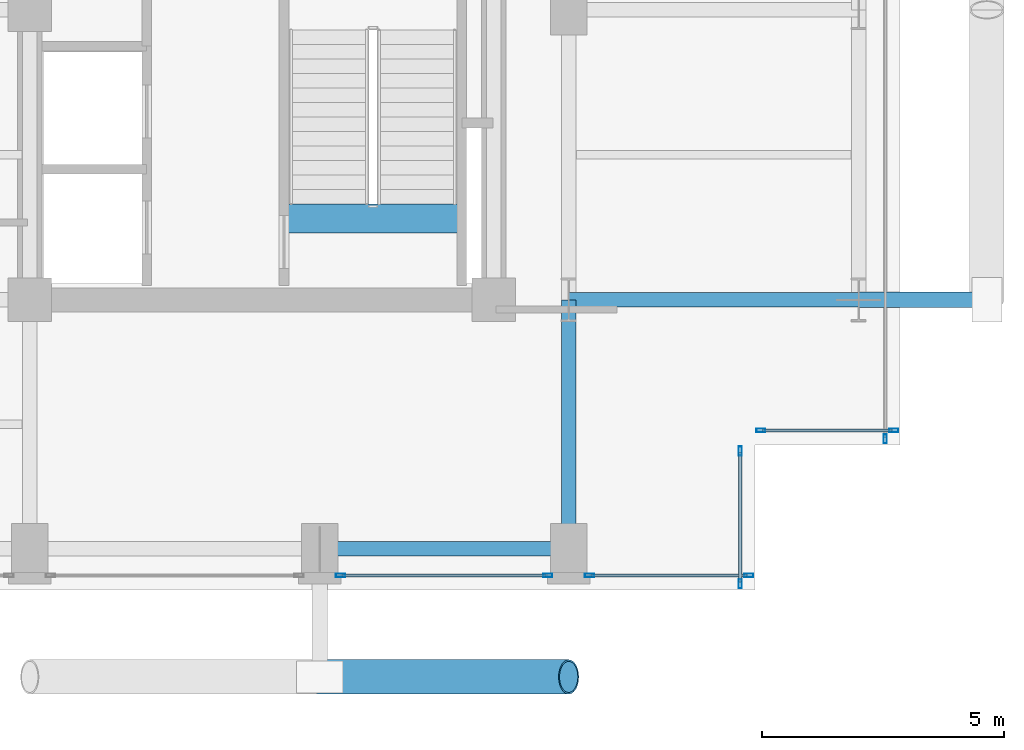
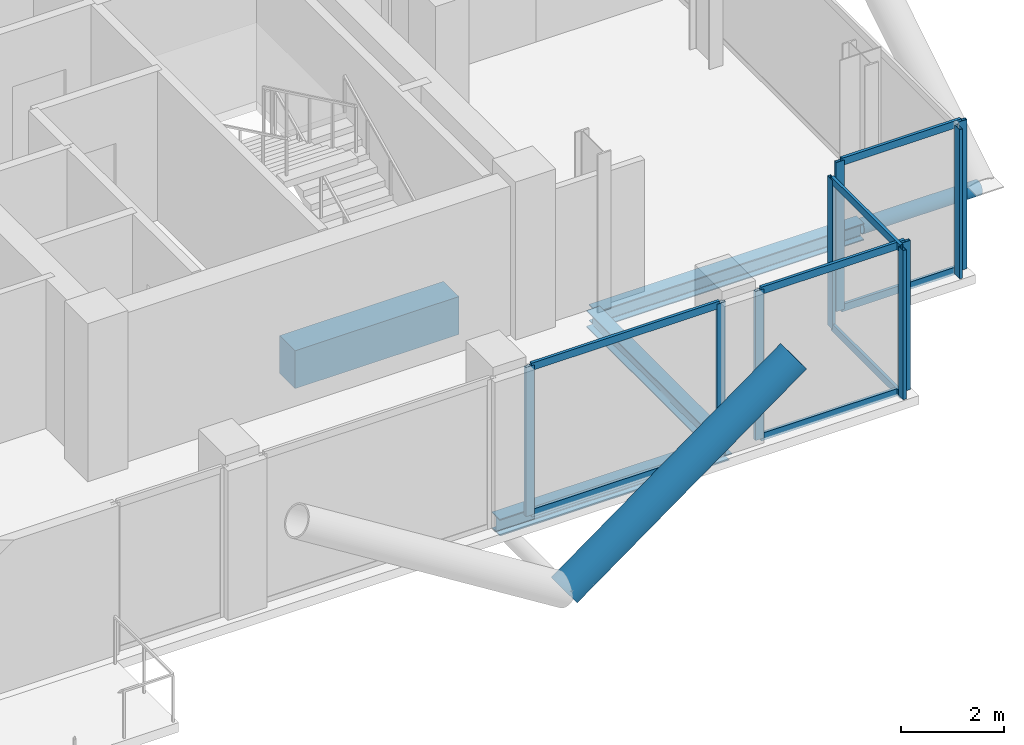
# One storey, part 10 of 21: 19 members, 4 beams, 5 elements without a shape of their own.
"""IFC4 building model written with IfcOpenShell, lengths in metres."""

from ifc_helpers import new_model, si_unit, direction, frame, origin, origin_2d, place, context, subcontext, project, spatial, rectangle, hollow_rectangle, hollow_circle, i_section, extrude, material, layer, layer_set, material_profile, profile_set, type_object, element, aggregate, save


model = new_model("IFC4")

# Units and contexts
model_context = context("Model", 3, precision=1e-05, world=origin(), true_north=direction((0.0, 1.0)))
body_context = subcontext(model_context, "Body", "Model", "MODEL_VIEW")
ifc_project = project(units=[si_unit("LENGTHUNIT", "METRE"), si_unit("AREAUNIT", "SQUARE_METRE"), si_unit("VOLUMEUNIT", "CUBIC_METRE"), si_unit("PLANEANGLEUNIT", "RADIAN"), si_unit("MASSUNIT", "GRAM", prefix="KILO"), si_unit("THERMODYNAMICTEMPERATUREUNIT", "KELVIN"), si_unit("POWERUNIT", "WATT")], contexts=[model_context])

# Site, building, storey
site_placement = place(None, origin())
site = spatial("IfcSite", under=ifc_project, at=site_placement, CompositionType="ELEMENT")
building_placement = place(site_placement, origin())
building = spatial("IfcBuilding", under=site, at=building_placement, Name="Svarakhadi Broadcast Tower", CompositionType="ELEMENT")
storey_placement = place(building_placement, frame((0.0, 0.0, 219.89990234375)))
storey = spatial("IfcBuildingStorey", under=building, at=storey_placement, Name="L54", CompositionType="ELEMENT", Elevation=219.89990234375)

# Curtain wall, member
ifc_material_1 = material(Name="Anodised Bronze Aluminium AA 6063-T6", Category="aluminium")
ifc_layer = layer(ifc_material_1, 0.18994140625)
ifc_layer_set = layer_set([ifc_layer], Name="Anodised Bronze Aluminium AA 6063-T6")
curtain_wall_type = type_object("IfcCurtainWallType", Name="CW_Sys_04", PredefinedType="NOTDEFINED", material=ifc_layer_set)
curtain_wall_1_placement = place(storey_placement, origin())
curtain_wall_1 = element("IfcCurtainWall", 1, at=curtain_wall_1_placement, inside=storey, type_object=curtain_wall_type, Name="L54 Unitised Facade Curtain Wall 13", PredefinedType="NOTDEFINED")
ifc_material_profile_1 = material_profile(ifc_material_1, hollow_rectangle(XDim=0.070068359375, YDim=0.18994140625, WallThickness=0.005615234375, at=origin_2d()), Name="ALU MULLION 190x70x6")
ifc_profile_set_1 = profile_set([ifc_material_profile_1], Name="Anodised Bronze Aluminium AA 6063-T6")
member_type_1 = type_object("IfcMemberType", Name="CW_Sys_04_Mul", PredefinedType="MULLION", material=ifc_profile_set_1)
member_1_placement = place(storey_placement, frame((41.699951171875, 3.125, 0.0), z_axis=(0.0, 0.0, 1.0), x_axis=(1.0, 0.0, 0.0)))
member_1 = element("IfcMember", 2, at=member_1_placement, type_object=member_type_1, Name="CW-04 mullion 2", PredefinedType="MULLION", context=body_context, shape_type="SweptSolid", body=[
    extrude(hollow_rectangle(XDim=0.070068359375, YDim=0.18994140625, WallThickness=0.005615234375, at=origin_2d()), origin(), (0.0, 0.0, 1.0), 3.5400390625),
])
aggregate(curtain_wall_1, [member_1])

# Curtain wall, members
curtain_wall_2_placement = place(storey_placement, origin())
curtain_wall_2 = element("IfcCurtainWall", 3, at=curtain_wall_2_placement, inside=storey, type_object=curtain_wall_type, Name="L54 Unitised Facade Curtain Wall 14", PredefinedType="NOTDEFINED")
member_2_placement = place(storey_placement, frame((41.875, 3.300048828125, 0.0), z_axis=(0.0, 0.0, 1.0), x_axis=(0.0, -1.0, 0.0)))
member_2 = element("IfcMember", 4, at=member_2_placement, type_object=member_type_1, Name="CW-04 mullion 1", PredefinedType="MULLION", context=body_context, shape_type="SweptSolid", body=[
    extrude(hollow_rectangle(XDim=0.070068359375, YDim=0.18994140625, WallThickness=0.005615234375, at=origin_2d()), origin(), (0.0, 0.0, 1.0), 3.5400390625),
])
member_3_placement = place(storey_placement, frame((39.125, 3.300048828125, 0.0), z_axis=(0.0, 0.0, 1.0), x_axis=(0.0, -1.0, 0.0)))
member_3 = element("IfcMember", 5, at=member_3_placement, type_object=member_type_1, Name="CW-04 mullion 2", PredefinedType="MULLION", context=body_context, shape_type="SweptSolid", body=[
    extrude(hollow_rectangle(XDim=0.070068359375, YDim=0.18994140625, WallThickness=0.005615234375, at=origin_2d()), origin(), (0.0, 0.0, 1.0), 3.5400390625),
])

curtain_wall_3_placement = place(storey_placement, origin())
curtain_wall_3 = element("IfcCurtainWall", 6, at=curtain_wall_3_placement, inside=storey, type_object=curtain_wall_type, Name="L54 Unitised Facade Curtain Wall 15", PredefinedType="NOTDEFINED")
member_4_placement = place(storey_placement, frame((38.699951171875, 2.875, 0.0), z_axis=(0.0, 0.0, 1.0), x_axis=(1.0, 0.0, 0.0)))
member_4 = element("IfcMember", 7, at=member_4_placement, type_object=member_type_1, Name="CW-04 mullion 1", PredefinedType="MULLION", context=body_context, shape_type="SweptSolid", body=[
    extrude(hollow_rectangle(XDim=0.070068359375, YDim=0.18994140625, WallThickness=0.005615234375, at=origin_2d()), origin(), (0.0, 0.0, 1.0), 3.5400390625),
])
member_5_placement = place(storey_placement, frame((38.699951171875, 0.125, 0.0), z_axis=(0.0, 0.0, 1.0), x_axis=(1.0, 0.0, 0.0)))
member_5 = element("IfcMember", 8, at=member_5_placement, type_object=member_type_1, Name="CW-04 mullion 2", PredefinedType="MULLION", context=body_context, shape_type="SweptSolid", body=[
    extrude(hollow_rectangle(XDim=0.070068359375, YDim=0.18994140625, WallThickness=0.005615234375, at=origin_2d()), origin(), (0.0, 0.0, 1.0), 3.5400390625),
])

curtain_wall_4_placement = place(storey_placement, origin())
curtain_wall_4 = element("IfcCurtainWall", 9, at=curtain_wall_4_placement, inside=storey, type_object=curtain_wall_type, Name="L54 South Curtain Wall 16 Bay 1", PredefinedType="NOTDEFINED")
member_6_placement = place(storey_placement, frame((38.875, 0.300048828125, 0.0), z_axis=(0.0, 0.0, 1.0), x_axis=(0.0, -1.0, 0.0)))
member_6 = element("IfcMember", 10, at=member_6_placement, type_object=member_type_1, Name="CW-04 mullion 1", PredefinedType="MULLION", context=body_context, shape_type="SweptSolid", body=[
    extrude(hollow_rectangle(XDim=0.070068359375, YDim=0.18994140625, WallThickness=0.005615234375, at=origin_2d()), origin(), (0.0, 0.0, 1.0), 3.5400390625),
])
member_7_placement = place(storey_placement, frame((35.580078125, 0.300048828125, 0.0), z_axis=(0.0, 0.0, 1.0), x_axis=(0.0, -1.0, 0.0)))
member_7 = element("IfcMember", 11, at=member_7_placement, type_object=member_type_1, Name="CW-04 mullion 2", PredefinedType="MULLION", context=body_context, shape_type="SweptSolid", body=[
    extrude(hollow_rectangle(XDim=0.070068359375, YDim=0.18994140625, WallThickness=0.005615234375, at=origin_2d()), origin(), (0.0, 0.0, 1.0), 3.5400390625),
])

curtain_wall_5_placement = place(storey_placement, origin())
curtain_wall_5 = element("IfcCurtainWall", 12, at=curtain_wall_5_placement, inside=storey, type_object=curtain_wall_type, Name="L54 South Curtain Wall 16 Bay 2", PredefinedType="NOTDEFINED")
member_8_placement = place(storey_placement, frame((34.719970703125, 0.300048828125, 0.0), z_axis=(0.0, 0.0, 1.0), x_axis=(0.0, -1.0, 0.0)))
member_8 = element("IfcMember", 13, at=member_8_placement, type_object=member_type_1, Name="CW-04 mullion 1", PredefinedType="MULLION", context=body_context, shape_type="SweptSolid", body=[
    extrude(hollow_rectangle(XDim=0.070068359375, YDim=0.18994140625, WallThickness=0.005615234375, at=origin_2d()), origin(), (0.0, 0.0, 1.0), 3.5400390625),
])
member_9_placement = place(storey_placement, frame((30.429931640625, 0.300048828125, 0.0), z_axis=(0.0, 0.0, 1.0), x_axis=(0.0, -1.0, 0.0)))
member_9 = element("IfcMember", 14, at=member_9_placement, type_object=member_type_1, Name="CW-04 mullion 2", PredefinedType="MULLION", context=body_context, shape_type="SweptSolid", body=[
    extrude(hollow_rectangle(XDim=0.070068359375, YDim=0.18994140625, WallThickness=0.005615234375, at=origin_2d()), origin(), (0.0, 0.0, 1.0), 3.5400390625),
])

# Member
ifc_material_profile_2 = material_profile(ifc_material_1, hollow_rectangle(XDim=0.06494140625, YDim=0.175048828125, WallThickness=0.0048828125, at=origin_2d()), Name="ALU TRANSOM 175x65x5")
ifc_profile_set_2 = profile_set([ifc_material_profile_2], Name="Anodised Bronze Aluminium AA 6063-T6")
member_type_2 = type_object("IfcMemberType", Name="CW_Sys_04_Trn", PredefinedType="USERDEFINED", material=ifc_profile_set_2)
member_10_placement = place(storey_placement, frame((41.840087890625, 3.300048828125, 0.03271484375), z_axis=(-1.0, 0.0, 0.0), x_axis=(0.0, -1.0, 0.0)))
member_10 = element("IfcMember", 15, at=member_10_placement, type_object=member_type_2, Name="CW-04 transom 1.1", ObjectType="TRANSOM", PredefinedType="USERDEFINED", context=body_context, shape_type="SweptSolid", body=[
    extrude(hollow_rectangle(XDim=0.06494140625, YDim=0.175048828125, WallThickness=0.0048828125, at=origin_2d()), origin(), (0.0, 0.0, 1.0), 2.68017578125),
])

member_11_placement = place(storey_placement, frame((41.840087890625, 3.300048828125, 3.507568359375), z_axis=(-1.0, 0.0, 0.0), x_axis=(0.0, -1.0, 0.0)))
member_11 = element("IfcMember", 16, at=member_11_placement, type_object=member_type_2, Name="CW-04 transom 1.2", ObjectType="TRANSOM", PredefinedType="USERDEFINED", context=body_context, shape_type="SweptSolid", body=[
    extrude(hollow_rectangle(XDim=0.06494140625, YDim=0.175048828125, WallThickness=0.0048828125, at=origin_2d()), origin(), (0.0, 0.0, 1.0), 2.68017578125),
])

aggregate(curtain_wall_2, [member_2, member_3, member_10, member_11])

member_12_placement = place(storey_placement, frame((38.699951171875, 2.840087890625, 0.03271484375), z_axis=(0.0, -1.0, 0.0), x_axis=(1.0, 0.0, 0.0)))
member_12 = element("IfcMember", 17, at=member_12_placement, type_object=member_type_2, Name="CW-04 transom 1.1", ObjectType="TRANSOM", PredefinedType="USERDEFINED", context=body_context, shape_type="SweptSolid", body=[
    extrude(hollow_rectangle(XDim=0.06494140625, YDim=0.175048828125, WallThickness=0.0048828125, at=origin_2d()), origin(), (0.0, 0.0, 1.0), 2.68017578125),
])

member_13_placement = place(storey_placement, frame((38.699951171875, 2.840087890625, 3.507568359375), z_axis=(0.0, -1.0, 0.0), x_axis=(1.0, 0.0, 0.0)))
member_13 = element("IfcMember", 18, at=member_13_placement, type_object=member_type_2, Name="CW-04 transom 1.2", ObjectType="TRANSOM", PredefinedType="USERDEFINED", context=body_context, shape_type="SweptSolid", body=[
    extrude(hollow_rectangle(XDim=0.06494140625, YDim=0.175048828125, WallThickness=0.0048828125, at=origin_2d()), origin(), (0.0, 0.0, 1.0), 2.68017578125),
])

aggregate(curtain_wall_3, [member_4, member_5, member_12, member_13])

member_14_placement = place(storey_placement, frame((38.840087890625, 0.300048828125, 0.03271484375), z_axis=(-1.0, 0.0, 0.0), x_axis=(0.0, -1.0, 0.0)))
member_14 = element("IfcMember", 19, at=member_14_placement, type_object=member_type_2, Name="CW-04 transom 1.1", ObjectType="TRANSOM", PredefinedType="USERDEFINED", context=body_context, shape_type="SweptSolid", body=[
    extrude(hollow_rectangle(XDim=0.06494140625, YDim=0.175048828125, WallThickness=0.0048828125, at=origin_2d()), origin(), (0.0, 0.0, 1.0), 3.22509765625),
])

member_15_placement = place(storey_placement, frame((38.840087890625, 0.300048828125, 3.507568359375), z_axis=(-1.0, 0.0, 0.0), x_axis=(0.0, -1.0, 0.0)))
member_15 = element("IfcMember", 20, at=member_15_placement, type_object=member_type_2, Name="CW-04 transom 1.2", ObjectType="TRANSOM", PredefinedType="USERDEFINED", context=body_context, shape_type="SweptSolid", body=[
    extrude(hollow_rectangle(XDim=0.06494140625, YDim=0.175048828125, WallThickness=0.0048828125, at=origin_2d()), origin(), (0.0, 0.0, 1.0), 3.22509765625),
])

aggregate(curtain_wall_4, [member_6, member_7, member_14, member_15])

member_16_placement = place(storey_placement, frame((34.68505859375, 0.300048828125, 0.03271484375), z_axis=(-1.0, 0.0, 0.0), x_axis=(0.0, -1.0, 0.0)))
member_16 = element("IfcMember", 21, at=member_16_placement, type_object=member_type_2, Name="CW-04 transom 1.1", ObjectType="TRANSOM", PredefinedType="USERDEFINED", context=body_context, shape_type="SweptSolid", body=[
    extrude(hollow_rectangle(XDim=0.06494140625, YDim=0.175048828125, WallThickness=0.0048828125, at=origin_2d()), origin(), (0.0, 0.0, 1.0), 4.219970703125),
])

member_17_placement = place(storey_placement, frame((34.68505859375, 0.300048828125, 3.507568359375), z_axis=(-1.0, 0.0, 0.0), x_axis=(0.0, -1.0, 0.0)))
member_17 = element("IfcMember", 22, at=member_17_placement, type_object=member_type_2, Name="CW-04 transom 1.2", ObjectType="TRANSOM", PredefinedType="USERDEFINED", context=body_context, shape_type="SweptSolid", body=[
    extrude(hollow_rectangle(XDim=0.06494140625, YDim=0.175048828125, WallThickness=0.0048828125, at=origin_2d()), origin(), (0.0, 0.0, 1.0), 4.219970703125),
])

aggregate(curtain_wall_5, [member_8, member_9, member_16, member_17])

# Beam
ifc_material_2 = material(Name="Concrete C50/60 (IS 456 M60)", Category="concrete")
ifc_material_profile_3 = material_profile(ifc_material_2, rectangle(XDim=0.60009765625, YDim=0.89990234375, at=origin_2d()), Name="RC 600x900")
ifc_profile_set_3 = profile_set([ifc_material_profile_3], Name="Concrete C50/60 (IS 456 M60)")
beam_type_1 = type_object("IfcBeamType", Name="Coupling_RC600", PredefinedType="USERDEFINED", material=ifc_profile_set_3)
beam_1_placement = place(storey_placement, frame((29.260009765625, 7.679931640625, -0.449951171875), z_axis=(1.0, 0.0, 0.0), x_axis=(0.0, 1.0, 0.0)))
element("IfcBeam", 23, at=beam_1_placement, inside=storey, type_object=beam_type_1, Name="L54 Stair ST-02 Landing Throat Trimmer Beam CB-01", ObjectType="GIRDER", PredefinedType="USERDEFINED", context=body_context, shape_type="SweptSolid", body=[
    extrude(rectangle(XDim=0.60009765625, YDim=0.89990234375, at=origin_2d()), origin(), (0.0, 0.0, 1.0), 3.679931640625),
])

# Members
ifc_material_3 = material(Name="Steel S460ML (IS 2062 E450BR)", Category="steel")
ifc_material_profile_4 = material_profile(ifc_material_3, hollow_circle(Radius=0.35546875, WallThickness=0.034912109375, at=origin_2d()), Name="CHS 711x35")
ifc_profile_set_4 = profile_set([ifc_material_profile_4], Name="Steel S460ML (IS 2062 E450BR)")
member_type_3 = type_object("IfcMemberType", Name="Exo_Brace_CHS711", PredefinedType="BRACE", material=ifc_profile_set_4)
member_18_placement = place(storey_placement, frame((30.0, -1.800048828125, -0.371826171875), z_axis=(0.808391243061, 0.0, 0.588645562407), x_axis=(0.0, 1.0, 0.0)))
element("IfcMember", 24, at=member_18_placement, inside=storey, type_object=member_type_3, Name="L54 Exposed Bronze Exoskeleton Diagonal S02", PredefinedType="BRACE", context=body_context, shape_type="SweptSolid", body=[
    extrude(hollow_circle(Radius=0.35546875, WallThickness=0.034912109375, at=origin_2d()), origin(), (0.0, 0.0, 1.0), 6.37060546875),
])
ifc_material_profile_5 = material_profile(ifc_material_3, hollow_circle(Radius=0.161865234375, WallThickness=0.01611328125, at=origin_2d()), Name="CHS 323.9x16")
ifc_profile_set_5 = profile_set([ifc_material_profile_5], Name="Steel S460ML (IS 2062 E450BR)")
member_type_4 = type_object("IfcMemberType", Name="Exo_Radial_Strut_Z2", PredefinedType="STRUT", material=ifc_profile_set_5)
member_19_placement = place(storey_placement, frame((43.800048828125, 6.0, -0.371826171875), z_axis=(-1.0, 0.0, 0.0), x_axis=(0.0, -1.0, 0.0)))
element("IfcMember", 25, at=member_19_placement, inside=storey, type_object=member_type_4, Name="L54 Exoskeleton Radial Tie Strut E07", PredefinedType="STRUT", context=body_context, shape_type="SweptSolid", body=[
    extrude(hollow_circle(Radius=0.161865234375, WallThickness=0.01611328125, at=origin_2d()), origin(), (0.0, 0.0, 1.0), 2.650146484375),
])

# Beams
ifc_material_4 = material(Name="Steel S355J2 (IS 2062 E350C)", Category="steel")
ifc_material_profile_6 = material_profile(ifc_material_4, i_section(OverallWidth=0.300048828125, OverallDepth=0.39990234375, WebThickness=0.013427734375, FlangeThickness=0.02392578125, FilletRadius=0.027099609375, at=origin_2d()), Name="WPB 400x300x155")
ifc_profile_set_6 = profile_set([ifc_material_profile_6], Name="Steel S355J2 (IS 2062 E350C)")
beam_type_2 = type_object("IfcBeamType", Name="Girder_WPB400", PredefinedType="USERDEFINED", material=ifc_profile_set_6)
beam_2_placement = place(storey_placement, frame((30.0, 0.85009765625, -0.409912109375), z_axis=(1.0, 0.0, 0.0), x_axis=(0.0, 1.0, 0.0)))
element("IfcBeam", 26, at=beam_2_placement, inside=storey, type_object=beam_type_2, Name="L54 Primary E-W Girder G008", ObjectType="GIRDER", PredefinedType="USERDEFINED", context=body_context, shape_type="SweptSolid", body=[
    extrude(i_section(OverallWidth=0.300048828125, OverallDepth=0.39990234375, WebThickness=0.013427734375, FlangeThickness=0.02392578125, FilletRadius=0.027099609375, at=origin_2d()), origin(), (0.0, 0.0, 1.0), 5.14990234375),
])
beam_3_placement = place(storey_placement, frame((35.14990234375, 6.0, -0.409912109375), z_axis=(1.0, 0.0, 0.0), x_axis=(0.0, 1.0, 0.0)))
element("IfcBeam", 27, at=beam_3_placement, inside=storey, type_object=beam_type_2, Name="L54 Primary E-W Girder G014", ObjectType="GIRDER", PredefinedType="USERDEFINED", context=body_context, shape_type="SweptSolid", body=[
    extrude(i_section(OverallWidth=0.300048828125, OverallDepth=0.39990234375, WebThickness=0.013427734375, FlangeThickness=0.02392578125, FilletRadius=0.027099609375, at=origin_2d()), origin(), (0.0, 0.0, 1.0), 6.0),
])
beam_4_placement = place(storey_placement, frame((35.14990234375, 0.85009765625, -0.409912109375), z_axis=(0.0, 1.0, 0.0), x_axis=(-1.0, 0.0, 0.0)))
element("IfcBeam", 28, at=beam_4_placement, inside=storey, type_object=beam_type_2, Name="L54 Primary N-S Girder G056", ObjectType="GIRDER", PredefinedType="USERDEFINED", context=body_context, shape_type="SweptSolid", body=[
    extrude(i_section(OverallWidth=0.300048828125, OverallDepth=0.39990234375, WebThickness=0.013427734375, FlangeThickness=0.02392578125, FilletRadius=0.027099609375, at=origin_2d()), origin(), (0.0, 0.0, 1.0), 5.14990234375),
])

save(model, "model.ifc")
